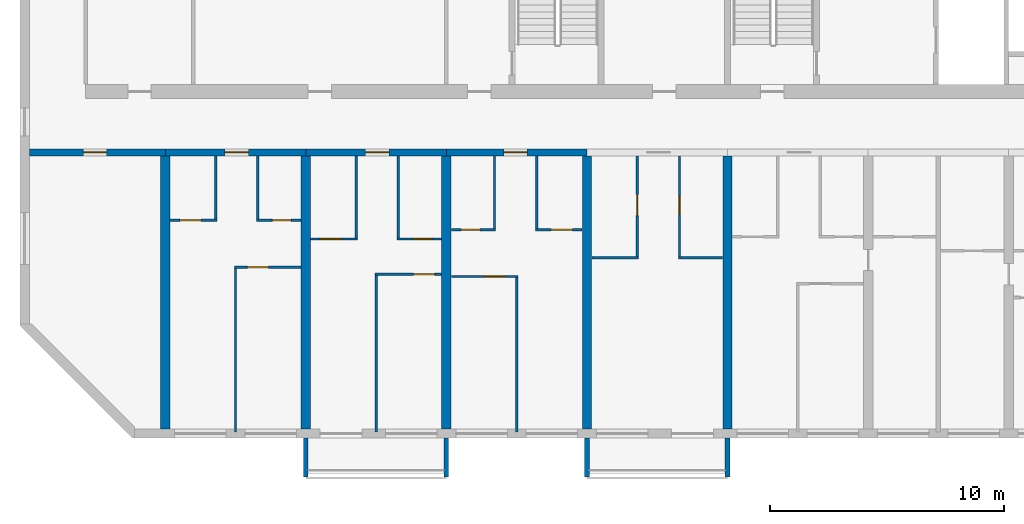
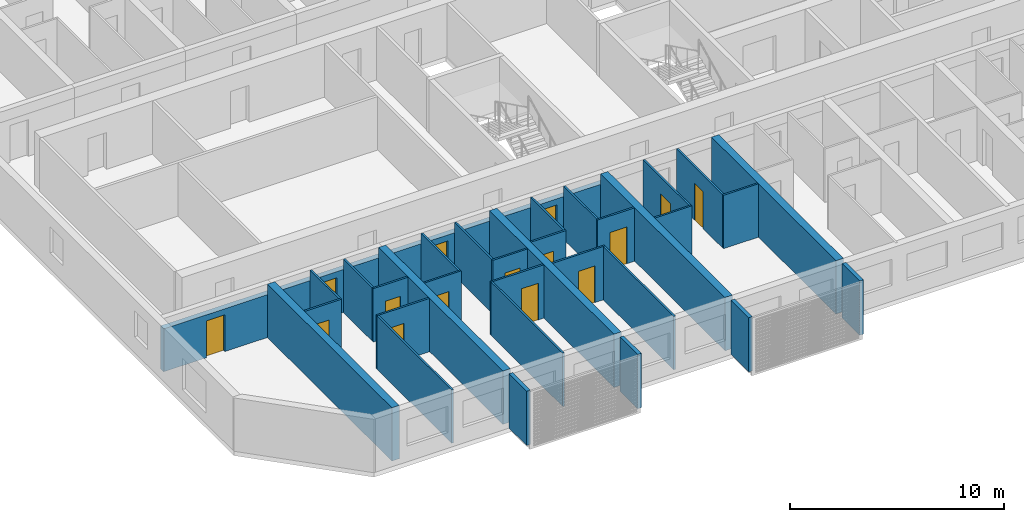
# One storey, part 2 of 40: 35 walls, 15 doors, 15 openings.
"""IFC4 building model written with IfcOpenShell, lengths in metres."""

from ifc_helpers import new_model, si_unit, direction, frame, frame_2d, origin, place, context, subcontext, project, spatial, polyline, rectangle, outline, extrude, source, transform, mapped, material, layer, layer_set, type_object, element, fill, save


model = new_model("IFC4")

# Units and contexts
model_context = context("Model", 3, precision=1e-05, world=origin(), true_north=direction((0.0, 1.0)))
body_context = subcontext(model_context, "Body", "Model", "MODEL_VIEW")
ifc_project = project(units=[si_unit("LENGTHUNIT", "METRE"), si_unit("AREAUNIT", "SQUARE_METRE"), si_unit("VOLUMEUNIT", "CUBIC_METRE"), si_unit("PLANEANGLEUNIT", "RADIAN"), si_unit("MASSUNIT", "GRAM", prefix="KILO")], contexts=[model_context])

# Site, building, storey
site_placement = place(None, origin())
site = spatial("IfcSite", under=ifc_project, at=site_placement, CompositionType="ELEMENT")
building_placement = place(site_placement, origin())
building = spatial("IfcBuilding", under=site, at=building_placement, Name="Poui Terraces", CompositionType="ELEMENT")
storey_placement = place(building_placement, frame((0.0, 0.0, 33.300048828125)))
storey = spatial("IfcBuildingStorey", under=building, at=storey_placement, Name="L08", CompositionType="ELEMENT", Elevation=33.300048828125)

# Wall, opening, door
ifc_material_1 = material(Name="Concrete 80 MPa", Category="concrete")
ifc_layer_1 = layer(ifc_material_1, 0.300048828125)
ifc_layer_set_1 = layer_set([ifc_layer_1], Name="Concrete 80 MPa")
wall_type_1 = type_object("IfcWallType", Name="CORRIDOR WALL 300 80MPa", PredefinedType="SHEAR", material=ifc_layer_set_1)
wall_1_placement = place(storey_placement, frame((0.199951171875, 12.0, 0.0), z_axis=(0.0, 0.0, 1.0), x_axis=(1.0, 0.0, 0.0)))
wall_1 = element("IfcWall", 1, at=wall_1_placement, inside=storey, type_object=wall_type_1, Name="CORRIDOR WALL LINE B BAY 1", PredefinedType="SHEAR", context=body_context, shape_type="SweptSolid", body=[
    extrude(rectangle(XDim=5.800048828125, YDim=0.300048828125, at=frame_2d((2.89990234375, 0.0))), origin(), (0.0, 0.0, 1.0), 2.449951171875),
])
opening_1_placement = place(wall_1_placement, frame((2.300048828125, 0.0, 0.0)))
opening_1 = element("IfcOpeningElement", 2, at=opening_1_placement, cuts=wall_1, Name="Opening D100", PredefinedType="OPENING", context=body_context, shape_type="SweptSolid", body=[
    extrude(rectangle(XDim=1.0, YDim=2.10009765625, at=frame_2d((0.5, 1.050048828125))), frame((0.0, 0.16015625, 0.0), z_axis=(0.0, -1.0, 0.0), x_axis=(1.0, 0.0, 0.0)), (0.0, 0.0, 1.0), 0.320068359375),
])
ifc_material_2 = material(Name="Solid core timber door", Category="wood")
door_type_1 = type_object("IfcDoorType", Name="ACCESSIBLE INTERNAL DOOR 1000 X 2100", OperationType="NOTDEFINED", PredefinedType="DOOR", material=ifc_material_2)
door_1_placement = place(opening_1_placement, frame((1.0, 0.0, 0.0), z_axis=(0.0, 0.0, 1.0), x_axis=(-1.0, 0.0, 0.0)))
door_1 = element("IfcDoor", 3, at=door_1_placement, inside=storey, type_object=door_type_1, Name="ACCESSIBLE INTERNAL DOOR 090", OperationType="SINGLE_SWING_RIGHT", OverallHeight=2.10009765625, OverallWidth=1.0, PredefinedType="DOOR", context=body_context, shape_type="SweptSolid", body=[
    extrude(rectangle(XDim=1.0, YDim=2.10009765625, at=frame_2d((0.5, 1.050048828125))), frame((0.0, 0.02490234375, 0.0), z_axis=(0.0, -1.0, 0.0), x_axis=(1.0, 0.0, 0.0)), (0.0, 0.0, 1.0), 0.050048828125),
])
fill(opening_1, door_1)

wall_2_placement = place(storey_placement, frame((6.0, 12.0, 0.0), z_axis=(0.0, 0.0, 1.0), x_axis=(1.0, 0.0, 0.0)))
wall_2 = element("IfcWall", 4, at=wall_2_placement, inside=storey, type_object=wall_type_1, Name="CORRIDOR WALL LINE B BAY 2", PredefinedType="SHEAR", context=body_context, shape_type="SweptSolid", body=[
    extrude(rectangle(XDim=6.0, YDim=0.300048828125, at=frame_2d((3.0, 0.0))), origin(), (0.0, 0.0, 1.0), 2.449951171875),
])
opening_2_placement = place(wall_2_placement, frame((2.550048828125, 0.0, 0.0)))
opening_2 = element("IfcOpeningElement", 5, at=opening_2_placement, cuts=wall_2, Name="Opening FD30S", PredefinedType="OPENING", context=body_context, shape_type="SweptSolid", body=[
    extrude(rectangle(XDim=1.0, YDim=2.10009765625, at=frame_2d((0.5, 1.050048828125))), frame((0.0, 0.16015625, 0.0), z_axis=(0.0, -1.0, 0.0), x_axis=(1.0, 0.0, 0.0)), (0.0, 0.0, 1.0), 0.320068359375),
])
ifc_material_3 = material(Name="Steel fire door", Category="steel")
door_type_2 = type_object("IfcDoorType", Name="FLAT ENTRANCE DOOR 1000 X 2100", OperationType="NOTDEFINED", PredefinedType="DOOR", material=ifc_material_3)
door_2_placement = place(opening_2_placement, frame((1.0, 0.0, 0.0), z_axis=(0.0, 0.0, 1.0), x_axis=(-1.0, 0.0, 0.0)))
door_2 = element("IfcDoor", 6, at=door_2_placement, inside=storey, type_object=door_type_2, Name="FLAT ENTRANCE DOOR 092", OperationType="SINGLE_SWING_LEFT", OverallHeight=2.10009765625, OverallWidth=1.0, PredefinedType="DOOR", context=body_context, shape_type="SweptSolid", body=[
    extrude(rectangle(XDim=1.0, YDim=2.10009765625, at=frame_2d((0.5, 1.050048828125))), frame((0.0, 0.02490234375, 0.0), z_axis=(0.0, -1.0, 0.0), x_axis=(1.0, 0.0, 0.0)), (0.0, 0.0, 1.0), 0.050048828125),
])
fill(opening_2, door_2)

wall_3_placement = place(storey_placement, frame((12.0, 12.0, 0.0), z_axis=(0.0, 0.0, 1.0), x_axis=(1.0, 0.0, 0.0)))
wall_3 = element("IfcWall", 7, at=wall_3_placement, inside=storey, type_object=wall_type_1, Name="CORRIDOR WALL LINE B BAY 3", PredefinedType="SHEAR", context=body_context, shape_type="SweptSolid", body=[
    extrude(rectangle(XDim=6.0, YDim=0.300048828125, at=frame_2d((3.0, 0.0))), origin(), (0.0, 0.0, 1.0), 2.449951171875),
])
opening_3_placement = place(wall_3_placement, frame((2.550048828125, 0.0, 0.0)))
opening_3 = element("IfcOpeningElement", 8, at=opening_3_placement, cuts=wall_3, Name="Opening FD30S", PredefinedType="OPENING", context=body_context, shape_type="SweptSolid", body=[
    extrude(rectangle(XDim=1.0, YDim=2.10009765625, at=frame_2d((0.5, 1.050048828125))), frame((0.0, 0.16015625, 0.0), z_axis=(0.0, -1.0, 0.0), x_axis=(1.0, 0.0, 0.0)), (0.0, 0.0, 1.0), 0.320068359375),
])
door_3_placement = place(opening_3_placement, frame((1.0, 0.0, 0.0), z_axis=(0.0, 0.0, 1.0), x_axis=(-1.0, 0.0, 0.0)))
door_3 = element("IfcDoor", 9, at=door_3_placement, inside=storey, type_object=door_type_2, Name="FLAT ENTRANCE DOOR 096", OperationType="SINGLE_SWING_LEFT", OverallHeight=2.10009765625, OverallWidth=1.0, PredefinedType="DOOR", context=body_context, shape_type="SweptSolid", body=[
    extrude(rectangle(XDim=1.0, YDim=2.10009765625, at=frame_2d((0.5, 1.050048828125))), frame((0.0, 0.02490234375, 0.0), z_axis=(0.0, -1.0, 0.0), x_axis=(1.0, 0.0, 0.0)), (0.0, 0.0, 1.0), 0.050048828125),
])
fill(opening_3, door_3)

wall_4_placement = place(storey_placement, frame((18.0, 12.0, 0.0), z_axis=(0.0, 0.0, 1.0), x_axis=(1.0, 0.0, 0.0)))
wall_4 = element("IfcWall", 10, at=wall_4_placement, inside=storey, type_object=wall_type_1, Name="CORRIDOR WALL LINE B BAY 4", PredefinedType="SHEAR", context=body_context, shape_type="SweptSolid", body=[
    extrude(rectangle(XDim=6.0, YDim=0.300048828125, at=frame_2d((3.0, 0.0))), origin(), (0.0, 0.0, 1.0), 2.449951171875),
])
opening_4_placement = place(wall_4_placement, frame((2.449951171875, 0.0, 0.0)))
opening_4 = element("IfcOpeningElement", 11, at=opening_4_placement, cuts=wall_4, Name="Opening FD30S", PredefinedType="OPENING", context=body_context, shape_type="SweptSolid", body=[
    extrude(rectangle(XDim=1.0, YDim=2.10009765625, at=frame_2d((0.5, 1.050048828125))), frame((0.0, 0.16015625, 0.0), z_axis=(0.0, -1.0, 0.0), x_axis=(1.0, 0.0, 0.0)), (0.0, 0.0, 1.0), 0.320068359375),
])
door_4_placement = place(opening_4_placement, frame((1.0, 0.0, 0.0), z_axis=(0.0, 0.0, 1.0), x_axis=(-1.0, 0.0, 0.0)))
door_4 = element("IfcDoor", 12, at=door_4_placement, inside=storey, type_object=door_type_2, Name="FLAT ENTRANCE DOOR 101", OperationType="SINGLE_SWING_RIGHT", OverallHeight=2.10009765625, OverallWidth=1.0, PredefinedType="DOOR", context=body_context, shape_type="SweptSolid", body=[
    extrude(rectangle(XDim=1.0, YDim=2.10009765625, at=frame_2d((0.5, 1.050048828125))), frame((0.0, 0.02490234375, 0.0), z_axis=(0.0, -1.0, 0.0), x_axis=(1.0, 0.0, 0.0)), (0.0, 0.0, 1.0), 0.050048828125),
])
fill(opening_4, door_4)

# Walls
ifc_layer_2 = layer(ifc_material_1, 0.39990234375)
ifc_layer_set_2 = layer_set([ifc_layer_2], Name="Concrete 80 MPa")
wall_type_2 = type_object("IfcWallType", Name="CROSS WALL 400 80MPa", PredefinedType="SHEAR", material=ifc_layer_set_2)
for number, where, z_axis, x_axis, name in (
    (13, (6.0, 0.199951171875, 0.0), (0.0, 0.0, 1.0), (0.0, 1.0, 0.0), "CROSS WALL LINE 2 SOUTH"),
    (14, (12.0, 0.199951171875, 0.0), (0.0, 0.0, 1.0), (0.0, 1.0, 0.0), "CROSS WALL LINE 3 SOUTH"),
    (15, (18.0, 0.199951171875, 0.0), (0.0, 0.0, 1.0), (0.0, 1.0, 0.0), "CROSS WALL LINE 4 SOUTH"),
    (16, (24.0, 0.199951171875, 0.0), (0.0, 0.0, 1.0), (0.0, 1.0, 0.0), "CROSS WALL LINE 5 SOUTH"),
    (17, (30.0, 0.199951171875, 0.0), (0.0, 0.0, 1.0), (0.0, 1.0, 0.0), "CROSS WALL LINE 6 SOUTH"),
):
    element("IfcWall", number, at=place(storey_placement, frame(where, z_axis=z_axis, x_axis=x_axis)), inside=storey, type_object=wall_type_2, Name=name, PredefinedType="SHEAR", context=body_context, shape_type="SweptSolid", body=[
        extrude(rectangle(XDim=11.650146484375, YDim=0.39990234375, at=frame_2d((5.8251953125, 0.0))), origin(), (0.0, 0.0, 1.0), 3.050048828125),
    ])

# Wall, opening, door
ifc_material_4 = material(Name="Plasterboard partition")
ifc_layer_3 = layer(ifc_material_4, 0.10009765625)
ifc_layer_set_3 = layer_set([ifc_layer_3], Name="Plasterboard partition")
wall_type_3 = type_object("IfcWallType", Name="FLAT PARTITION 100", PredefinedType="PARTITIONING", material=ifc_layer_set_3)
wall_5_placement = place(storey_placement, frame((18.2099609375, 6.699951171875, 0.0), z_axis=(0.0, 0.0, 1.0), x_axis=(1.0, 0.0, 0.0)))
wall_5 = element("IfcWall", 18, at=wall_5_placement, inside=storey, type_object=wall_type_3, Name="FLAT PARTITION 100", PredefinedType="PARTITIONING", context=body_context, shape_type="SweptSolid", body=[
    extrude(rectangle(XDim=2.840087890625, YDim=0.10009765625, at=frame_2d((1.419921875, 0.0))), origin(), (0.0, 0.0, 1.0), 3.050048828125),
])
opening_5_placement = place(wall_5_placement, frame((1.389892578125, 0.0, 0.0)))
opening_5 = element("IfcOpeningElement", 19, at=opening_5_placement, cuts=wall_5, Name="Opening D90", PredefinedType="OPENING", context=body_context, shape_type="SweptSolid", body=[
    extrude(rectangle(XDim=0.89990234375, YDim=2.10009765625, at=frame_2d((0.449951171875, 1.050048828125))), frame((0.0, 0.06005859375, 0.0), z_axis=(0.0, -1.0, 0.0), x_axis=(1.0, 0.0, 0.0)), (0.0, 0.0, 1.0), 0.1201171875),
])
door_type_3 = type_object("IfcDoorType", Name="INTERNAL DOOR 900 X 2100", OperationType="NOTDEFINED", PredefinedType="DOOR", material=ifc_material_2)
door_5_placement = place(opening_5_placement, origin())
door_5 = element("IfcDoor", 20, at=door_5_placement, inside=storey, type_object=door_type_3, Name="INTERNAL DOOR 100", OperationType="SINGLE_SWING_LEFT", OverallHeight=2.10009765625, OverallWidth=0.89990234375, PredefinedType="DOOR", context=body_context, shape_type="SweptSolid", body=[
    extrude(rectangle(XDim=0.89990234375, YDim=2.10009765625, at=frame_2d((0.449951171875, 1.050048828125))), frame((0.0, 0.02490234375, 0.0), z_axis=(0.0, -1.0, 0.0), x_axis=(1.0, 0.0, 0.0)), (0.0, 0.0, 1.0), 0.050048828125),
])
fill(opening_5, door_5)

wall_6_placement = place(storey_placement, frame((14.949951171875, 6.800048828125, 0.0), z_axis=(0.0, 0.0, 1.0), x_axis=(1.0, 0.0, 0.0)))
wall_6 = element("IfcWall", 21, at=wall_6_placement, inside=storey, type_object=wall_type_3, Name="FLAT PARTITION 100", PredefinedType="PARTITIONING", context=body_context, shape_type="SweptSolid", body=[
    extrude(rectangle(XDim=2.840087890625, YDim=0.10009765625, at=frame_2d((1.419921875, 0.0))), origin(), (0.0, 0.0, 1.0), 3.050048828125),
])
opening_6_placement = place(wall_6_placement, frame((1.64990234375, 0.0, 0.0)))
opening_6 = element("IfcOpeningElement", 22, at=opening_6_placement, cuts=wall_6, Name="Opening D90", PredefinedType="OPENING", context=body_context, shape_type="SweptSolid", body=[
    extrude(rectangle(XDim=0.89990234375, YDim=2.10009765625, at=frame_2d((0.449951171875, 1.050048828125))), frame((0.0, 0.06005859375, 0.0), z_axis=(0.0, -1.0, 0.0), x_axis=(1.0, 0.0, 0.0)), (0.0, 0.0, 1.0), 0.1201171875),
])
door_6_placement = place(opening_6_placement, origin())
door_6 = element("IfcDoor", 23, at=door_6_placement, inside=storey, type_object=door_type_3, Name="INTERNAL DOOR 098", OperationType="SINGLE_SWING_LEFT", OverallHeight=2.10009765625, OverallWidth=0.89990234375, PredefinedType="DOOR", context=body_context, shape_type="SweptSolid", body=[
    extrude(rectangle(XDim=0.89990234375, YDim=2.10009765625, at=frame_2d((0.449951171875, 1.050048828125))), frame((0.0, 0.02490234375, 0.0), z_axis=(0.0, -1.0, 0.0), x_axis=(1.0, 0.0, 0.0)), (0.0, 0.0, 1.0), 0.050048828125),
])
fill(opening_6, door_6)

wall_7_placement = place(storey_placement, frame((8.949951171875, 7.10009765625, 0.0), z_axis=(0.0, 0.0, 1.0), x_axis=(1.0, 0.0, 0.0)))
wall_7 = element("IfcWall", 24, at=wall_7_placement, inside=storey, type_object=wall_type_3, Name="FLAT PARTITION 100", PredefinedType="PARTITIONING", context=body_context, shape_type="SweptSolid", body=[
    extrude(rectangle(XDim=2.840087890625, YDim=0.10009765625, at=frame_2d((1.419921875, 0.0))), origin(), (0.0, 0.0, 1.0), 3.050048828125),
])
opening_7_placement = place(wall_7_placement, frame((0.550048828125, 0.0, 0.0)))
opening_7 = element("IfcOpeningElement", 25, at=opening_7_placement, cuts=wall_7, Name="Opening D90", PredefinedType="OPENING", context=body_context, shape_type="SweptSolid", body=[
    extrude(rectangle(XDim=0.89990234375, YDim=2.10009765625, at=frame_2d((0.449951171875, 1.050048828125))), frame((0.0, 0.06005859375, 0.0), z_axis=(0.0, -1.0, 0.0), x_axis=(1.0, 0.0, 0.0)), (0.0, 0.0, 1.0), 0.1201171875),
])
door_7_placement = place(opening_7_placement, origin())
door_7 = element("IfcDoor", 26, at=door_7_placement, inside=storey, type_object=door_type_3, Name="INTERNAL DOOR 093", OperationType="SINGLE_SWING_RIGHT", OverallHeight=2.10009765625, OverallWidth=0.89990234375, PredefinedType="DOOR", context=body_context, shape_type="SweptSolid", body=[
    extrude(rectangle(XDim=0.89990234375, YDim=2.10009765625, at=frame_2d((0.449951171875, 1.050048828125))), frame((0.0, 0.02490234375, 0.0), z_axis=(0.0, -1.0, 0.0), x_axis=(1.0, 0.0, 0.0)), (0.0, 0.0, 1.0), 0.050048828125),
])
fill(opening_7, door_7)

# Walls
wall_8_placement = place(storey_placement, frame((24.2099609375, 7.5, 0.0), z_axis=(0.0, 0.0, 1.0), x_axis=(1.0, 0.0, 0.0)))
element("IfcWall", 27, at=wall_8_placement, inside=storey, type_object=wall_type_3, Name="FLAT PARTITION 100", PredefinedType="PARTITIONING", context=body_context, shape_type="SweptSolid", body=[
    extrude(rectangle(XDim=1.989990234375, YDim=0.10009765625, at=frame_2d((0.9951171875, 0.0))), origin(), (0.0, 0.0, 1.0), 3.050048828125),
])
wall_9_placement = place(storey_placement, frame((27.89990234375, 7.5, 0.0), z_axis=(0.0, 0.0, 1.0), x_axis=(1.0, 0.0, 0.0)))
element("IfcWall", 28, at=wall_9_placement, inside=storey, type_object=wall_type_3, Name="FLAT PARTITION 100", PredefinedType="PARTITIONING", context=body_context, shape_type="SweptSolid", body=[
    extrude(rectangle(XDim=1.89013671875, YDim=0.10009765625, at=frame_2d((0.945068359375, 0.0))), origin(), (0.0, 0.0, 1.0), 3.050048828125),
])

# Wall, opening, door
wall_10_placement = place(storey_placement, frame((12.2099609375, 8.300048828125, 0.0), z_axis=(0.0, 0.0, 1.0), x_axis=(1.0, 0.0, 0.0)))
wall_10 = element("IfcWall", 29, at=wall_10_placement, inside=storey, type_object=wall_type_3, Name="FLAT PARTITION 100", PredefinedType="PARTITIONING", context=body_context, shape_type="SweptSolid", body=[
    extrude(rectangle(XDim=1.989990234375, YDim=0.10009765625, at=frame_2d((0.9951171875, 0.0))), origin(), (0.0, 0.0, 1.0), 3.050048828125),
])
opening_8_placement = place(wall_10_placement, frame((0.4150390625, 0.0, 0.0)))
opening_8 = element("IfcOpeningElement", 30, at=opening_8_placement, cuts=wall_10, Name="Opening D90", PredefinedType="OPENING", context=body_context, shape_type="SweptSolid", body=[
    extrude(rectangle(XDim=0.89990234375, YDim=2.10009765625, at=frame_2d((0.449951171875, 1.050048828125))), frame((0.0, 0.06005859375, 0.0), z_axis=(0.0, -1.0, 0.0), x_axis=(1.0, 0.0, 0.0)), (0.0, 0.0, 1.0), 0.1201171875),
])
door_8_placement = place(opening_8_placement, origin())
door_8 = element("IfcDoor", 31, at=door_8_placement, inside=storey, type_object=door_type_3, Name="INTERNAL DOOR 095", OperationType="SINGLE_SWING_LEFT", OverallHeight=2.10009765625, OverallWidth=0.89990234375, PredefinedType="DOOR", context=body_context, shape_type="SweptSolid", body=[
    extrude(rectangle(XDim=0.89990234375, YDim=2.10009765625, at=frame_2d((0.449951171875, 1.050048828125))), frame((0.0, 0.02490234375, 0.0), z_axis=(0.0, -1.0, 0.0), x_axis=(1.0, 0.0, 0.0)), (0.0, 0.0, 1.0), 0.050048828125),
])
fill(opening_8, door_8)

wall_11_placement = place(storey_placement, frame((15.89990234375, 8.300048828125, 0.0), z_axis=(0.0, 0.0, 1.0), x_axis=(1.0, 0.0, 0.0)))
wall_11 = element("IfcWall", 32, at=wall_11_placement, inside=storey, type_object=wall_type_3, Name="FLAT PARTITION 100", PredefinedType="PARTITIONING", context=body_context, shape_type="SweptSolid", body=[
    extrude(rectangle(XDim=1.89013671875, YDim=0.10009765625, at=frame_2d((0.945068359375, 0.0))), origin(), (0.0, 0.0, 1.0), 3.050048828125),
])
opening_9_placement = place(wall_11_placement, frame((0.675048828125, 0.0, 0.0)))
opening_9 = element("IfcOpeningElement", 33, at=opening_9_placement, cuts=wall_11, Name="Opening D80", PredefinedType="OPENING", context=body_context, shape_type="SweptSolid", body=[
    extrude(rectangle(XDim=0.800048828125, YDim=2.10009765625, at=frame_2d((0.39990234375, 1.050048828125))), frame((0.0, 0.06005859375, 0.0), z_axis=(0.0, -1.0, 0.0), x_axis=(1.0, 0.0, 0.0)), (0.0, 0.0, 1.0), 0.1201171875),
])
door_type_4 = type_object("IfcDoorType", Name="BATHROOM, LAUNDRY AND STORE DOOR 800 X 2100", OperationType="NOTDEFINED", PredefinedType="DOOR", material=ifc_material_2)
door_9_placement = place(opening_9_placement, origin())
door_9 = element("IfcDoor", 34, at=door_9_placement, inside=storey, type_object=door_type_4, Name="BATHROOM, LAUNDRY AND STORE DOOR 097", OperationType="SINGLE_SWING_RIGHT", OverallHeight=2.10009765625, OverallWidth=0.800048828125, PredefinedType="DOOR", context=body_context, shape_type="SweptSolid", body=[
    extrude(rectangle(XDim=0.800048828125, YDim=2.10009765625, at=frame_2d((0.39990234375, 1.050048828125))), frame((0.0, 0.02490234375, 0.0), z_axis=(0.0, -1.0, 0.0), x_axis=(1.0, 0.0, 0.0)), (0.0, 0.0, 1.0), 0.050048828125),
])
fill(opening_9, door_9)

wall_12_placement = place(storey_placement, frame((18.2099609375, 8.699951171875, 0.0), z_axis=(0.0, 0.0, 1.0), x_axis=(1.0, 0.0, 0.0)))
wall_12 = element("IfcWall", 35, at=wall_12_placement, inside=storey, type_object=wall_type_3, Name="FLAT PARTITION 100", PredefinedType="PARTITIONING", context=body_context, shape_type="SweptSolid", body=[
    extrude(rectangle(XDim=1.89013671875, YDim=0.10009765625, at=frame_2d((0.945068359375, 0.0))), origin(), (0.0, 0.0, 1.0), 3.050048828125),
])
opening_10_placement = place(wall_12_placement, frame((0.4150390625, 0.0, 0.0)))
opening_10 = element("IfcOpeningElement", 36, at=opening_10_placement, cuts=wall_12, Name="Opening D80", PredefinedType="OPENING", context=body_context, shape_type="SweptSolid", body=[
    extrude(rectangle(XDim=0.800048828125, YDim=2.10009765625, at=frame_2d((0.39990234375, 1.050048828125))), frame((0.0, 0.06005859375, 0.0), z_axis=(0.0, -1.0, 0.0), x_axis=(1.0, 0.0, 0.0)), (0.0, 0.0, 1.0), 0.1201171875),
])
door_10_placement = place(opening_10_placement, origin())
door_10 = element("IfcDoor", 37, at=door_10_placement, inside=storey, type_object=door_type_4, Name="BATHROOM, LAUNDRY AND STORE DOOR 099", OperationType="SINGLE_SWING_RIGHT", OverallHeight=2.10009765625, OverallWidth=0.800048828125, PredefinedType="DOOR", context=body_context, shape_type="SweptSolid", body=[
    extrude(rectangle(XDim=0.800048828125, YDim=2.10009765625, at=frame_2d((0.39990234375, 1.050048828125))), frame((0.0, 0.02490234375, 0.0), z_axis=(0.0, -1.0, 0.0), x_axis=(1.0, 0.0, 0.0)), (0.0, 0.0, 1.0), 0.050048828125),
])
fill(opening_10, door_10)

wall_13_placement = place(storey_placement, frame((21.800048828125, 8.699951171875, 0.0), z_axis=(0.0, 0.0, 1.0), x_axis=(1.0, 0.0, 0.0)))
wall_13 = element("IfcWall", 38, at=wall_13_placement, inside=storey, type_object=wall_type_3, Name="FLAT PARTITION 100", PredefinedType="PARTITIONING", context=body_context, shape_type="SweptSolid", body=[
    extrude(rectangle(XDim=1.989990234375, YDim=0.10009765625, at=frame_2d((0.9951171875, 0.0))), origin(), (0.0, 0.0, 1.0), 3.050048828125),
])
opening_11_placement = place(wall_13_placement, frame((0.675048828125, 0.0, 0.0)))
opening_11 = element("IfcOpeningElement", 39, at=opening_11_placement, cuts=wall_13, Name="Opening D90", PredefinedType="OPENING", context=body_context, shape_type="SweptSolid", body=[
    extrude(rectangle(XDim=0.89990234375, YDim=2.10009765625, at=frame_2d((0.449951171875, 1.050048828125))), frame((0.0, 0.06005859375, 0.0), z_axis=(0.0, -1.0, 0.0), x_axis=(1.0, 0.0, 0.0)), (0.0, 0.0, 1.0), 0.1201171875),
])
door_11_placement = place(opening_11_placement, origin())
door_11 = element("IfcDoor", 40, at=door_11_placement, inside=storey, type_object=door_type_3, Name="INTERNAL DOOR 102", OperationType="SINGLE_SWING_LEFT", OverallHeight=2.10009765625, OverallWidth=0.89990234375, PredefinedType="DOOR", context=body_context, shape_type="SweptSolid", body=[
    extrude(rectangle(XDim=0.89990234375, YDim=2.10009765625, at=frame_2d((0.449951171875, 1.050048828125))), frame((0.0, 0.02490234375, 0.0), z_axis=(0.0, -1.0, 0.0), x_axis=(1.0, 0.0, 0.0)), (0.0, 0.0, 1.0), 0.050048828125),
])
fill(opening_11, door_11)

wall_14_placement = place(storey_placement, frame((6.2099609375, 9.10009765625, 0.0), z_axis=(0.0, 0.0, 1.0), x_axis=(1.0, 0.0, 0.0)))
wall_14 = element("IfcWall", 41, at=wall_14_placement, inside=storey, type_object=wall_type_3, Name="FLAT PARTITION 100", PredefinedType="PARTITIONING", context=body_context, shape_type="SweptSolid", body=[
    extrude(rectangle(XDim=1.989990234375, YDim=0.10009765625, at=frame_2d((0.9951171875, 0.0))), origin(), (0.0, 0.0, 1.0), 3.050048828125),
])
opening_12_placement = place(wall_14_placement, frame((0.4150390625, 0.0, 0.0)))
opening_12 = element("IfcOpeningElement", 42, at=opening_12_placement, cuts=wall_14, Name="Opening D90", PredefinedType="OPENING", context=body_context, shape_type="SweptSolid", body=[
    extrude(rectangle(XDim=0.89990234375, YDim=2.10009765625, at=frame_2d((0.449951171875, 1.050048828125))), frame((0.0, 0.06005859375, 0.0), z_axis=(0.0, -1.0, 0.0), x_axis=(1.0, 0.0, 0.0)), (0.0, 0.0, 1.0), 0.1201171875),
])
door_12_placement = place(opening_12_placement, origin())
door_12 = element("IfcDoor", 43, at=door_12_placement, inside=storey, type_object=door_type_3, Name="INTERNAL DOOR 091", OperationType="SINGLE_SWING_RIGHT", OverallHeight=2.10009765625, OverallWidth=0.89990234375, PredefinedType="DOOR", context=body_context, shape_type="SweptSolid", body=[
    extrude(rectangle(XDim=0.89990234375, YDim=2.10009765625, at=frame_2d((0.449951171875, 1.050048828125))), frame((0.0, 0.02490234375, 0.0), z_axis=(0.0, -1.0, 0.0), x_axis=(1.0, 0.0, 0.0)), (0.0, 0.0, 1.0), 0.050048828125),
])
fill(opening_12, door_12)

wall_15_placement = place(storey_placement, frame((9.89990234375, 9.10009765625, 0.0), z_axis=(0.0, 0.0, 1.0), x_axis=(1.0, 0.0, 0.0)))
wall_15 = element("IfcWall", 44, at=wall_15_placement, inside=storey, type_object=wall_type_3, Name="FLAT PARTITION 100", PredefinedType="PARTITIONING", context=body_context, shape_type="SweptSolid", body=[
    extrude(rectangle(XDim=1.89013671875, YDim=0.10009765625, at=frame_2d((0.945068359375, 0.0))), origin(), (0.0, 0.0, 1.0), 3.050048828125),
])
opening_13_placement = place(wall_15_placement, frame((0.675048828125, 0.0, 0.0)))
opening_13 = element("IfcOpeningElement", 45, at=opening_13_placement, cuts=wall_15, Name="Opening D80", PredefinedType="OPENING", context=body_context, shape_type="SweptSolid", body=[
    extrude(rectangle(XDim=0.800048828125, YDim=2.10009765625, at=frame_2d((0.39990234375, 1.050048828125))), frame((0.0, 0.06005859375, 0.0), z_axis=(0.0, -1.0, 0.0), x_axis=(1.0, 0.0, 0.0)), (0.0, 0.0, 1.0), 0.1201171875),
])
door_13_placement = place(opening_13_placement, origin())
door_13 = element("IfcDoor", 46, at=door_13_placement, inside=storey, type_object=door_type_4, Name="BATHROOM, LAUNDRY AND STORE DOOR 094", OperationType="SINGLE_SWING_LEFT", OverallHeight=2.10009765625, OverallWidth=0.800048828125, PredefinedType="DOOR", context=body_context, shape_type="SweptSolid", body=[
    extrude(rectangle(XDim=0.800048828125, YDim=2.10009765625, at=frame_2d((0.39990234375, 1.050048828125))), frame((0.0, 0.02490234375, 0.0), z_axis=(0.0, -1.0, 0.0), x_axis=(1.0, 0.0, 0.0)), (0.0, 0.0, 1.0), 0.050048828125),
])
fill(opening_13, door_13)

# Walls
wall_16_placement = place(storey_placement, frame((8.14990234375, 9.14990234375, 0.0), z_axis=(0.0, 0.0, 1.0), x_axis=(0.0, 1.0, 0.0)))
element("IfcWall", 47, at=wall_16_placement, inside=storey, type_object=wall_type_3, Name="FLAT PARTITION 100", PredefinedType="PARTITIONING", context=body_context, shape_type="SweptSolid", body=[
    extrude(rectangle(XDim=2.690185546875, YDim=0.10009765625, at=frame_2d((1.34521484375, 0.0))), origin(), (0.0, 0.0, 1.0), 3.050048828125),
])
wall_17_placement = place(storey_placement, frame((9.0, 0.06005859375, 0.0), z_axis=(0.0, 0.0, 1.0), x_axis=(0.0, 1.0, 0.0)))
element("IfcWall", 48, at=wall_17_placement, inside=storey, type_object=wall_type_3, Name="FLAT PARTITION 100", PredefinedType="PARTITIONING", context=body_context, shape_type="SweptSolid", body=[
    extrude(rectangle(XDim=6.989990234375, YDim=0.10009765625, at=frame_2d((3.4951171875, 0.0))), origin(), (0.0, 0.0, 1.0), 3.050048828125),
])
wall_18_placement = place(storey_placement, frame((9.949951171875, 9.14990234375, 0.0), z_axis=(0.0, 0.0, 1.0), x_axis=(0.0, 1.0, 0.0)))
element("IfcWall", 49, at=wall_18_placement, inside=storey, type_object=wall_type_3, Name="FLAT PARTITION 100", PredefinedType="PARTITIONING", context=body_context, shape_type="SweptSolid", body=[
    extrude(rectangle(XDim=2.690185546875, YDim=0.10009765625, at=frame_2d((1.34521484375, 0.0))), origin(), (0.0, 0.0, 1.0), 3.050048828125),
])
wall_19_placement = place(storey_placement, frame((14.14990234375, 8.35009765625, 0.0), z_axis=(0.0, 0.0, 1.0), x_axis=(0.0, 1.0, 0.0)))
element("IfcWall", 50, at=wall_19_placement, inside=storey, type_object=wall_type_3, Name="FLAT PARTITION 100", PredefinedType="PARTITIONING", context=body_context, shape_type="SweptSolid", body=[
    extrude(rectangle(XDim=3.489990234375, YDim=0.10009765625, at=frame_2d((1.7451171875, 0.0))), origin(), (0.0, 0.0, 1.0), 3.050048828125),
])
wall_20_placement = place(storey_placement, frame((15.0, 0.06005859375, 0.0), z_axis=(0.0, 0.0, 1.0), x_axis=(0.0, 1.0, 0.0)))
element("IfcWall", 51, at=wall_20_placement, inside=storey, type_object=wall_type_3, Name="FLAT PARTITION 100", PredefinedType="PARTITIONING", context=body_context, shape_type="SweptSolid", body=[
    extrude(rectangle(XDim=6.68994140625, YDim=0.10009765625, at=frame_2d((3.344970703125, 0.0))), origin(), (0.0, 0.0, 1.0), 3.050048828125),
])
wall_21_placement = place(storey_placement, frame((15.949951171875, 8.35009765625, 0.0), z_axis=(0.0, 0.0, 1.0), x_axis=(0.0, 1.0, 0.0)))
element("IfcWall", 52, at=wall_21_placement, inside=storey, type_object=wall_type_3, Name="FLAT PARTITION 100", PredefinedType="PARTITIONING", context=body_context, shape_type="SweptSolid", body=[
    extrude(rectangle(XDim=3.489990234375, YDim=0.10009765625, at=frame_2d((1.7451171875, 0.0))), origin(), (0.0, 0.0, 1.0), 3.050048828125),
])
wall_22_placement = place(storey_placement, frame((20.050048828125, 8.75, 0.0), z_axis=(0.0, 0.0, 1.0), x_axis=(0.0, 1.0, 0.0)))
element("IfcWall", 53, at=wall_22_placement, inside=storey, type_object=wall_type_3, Name="FLAT PARTITION 100", PredefinedType="PARTITIONING", context=body_context, shape_type="SweptSolid", body=[
    extrude(rectangle(XDim=3.090087890625, YDim=0.10009765625, at=frame_2d((1.544921875, 0.0))), origin(), (0.0, 0.0, 1.0), 3.050048828125),
])
wall_23_placement = place(storey_placement, frame((21.0, 0.06005859375, 0.0), z_axis=(0.0, 0.0, 1.0), x_axis=(0.0, 1.0, 0.0)))
element("IfcWall", 54, at=wall_23_placement, inside=storey, type_object=wall_type_3, Name="FLAT PARTITION 100", PredefinedType="PARTITIONING", context=body_context, shape_type="SweptSolid", body=[
    extrude(rectangle(XDim=6.58984375, YDim=0.10009765625, at=frame_2d((3.294921875, 0.0))), origin(), (0.0, 0.0, 1.0), 3.050048828125),
])
wall_24_placement = place(storey_placement, frame((21.85009765625, 8.75, 0.0), z_axis=(0.0, 0.0, 1.0), x_axis=(0.0, 1.0, 0.0)))
element("IfcWall", 55, at=wall_24_placement, inside=storey, type_object=wall_type_3, Name="FLAT PARTITION 100", PredefinedType="PARTITIONING", context=body_context, shape_type="SweptSolid", body=[
    extrude(rectangle(XDim=3.090087890625, YDim=0.10009765625, at=frame_2d((1.544921875, 0.0))), origin(), (0.0, 0.0, 1.0), 3.050048828125),
])

# Wall, opening, door
wall_25_placement = place(storey_placement, frame((26.14990234375, 7.550048828125, 0.0), z_axis=(0.0, 0.0, 1.0), x_axis=(0.0, 1.0, 0.0)))
wall_25 = element("IfcWall", 56, at=wall_25_placement, inside=storey, type_object=wall_type_3, Name="FLAT PARTITION 100", PredefinedType="PARTITIONING", context=body_context, shape_type="SweptSolid", body=[
    extrude(rectangle(XDim=4.2900390625, YDim=0.10009765625, at=frame_2d((2.14501953125, 0.0))), origin(), (0.0, 0.0, 1.0), 3.050048828125),
])
opening_14_placement = place(wall_25_placement, frame((1.75, 0.0, 0.0)))
opening_14 = element("IfcOpeningElement", 57, at=opening_14_placement, cuts=wall_25, Name="Opening D90", PredefinedType="OPENING", context=body_context, shape_type="SweptSolid", body=[
    extrude(rectangle(XDim=0.89990234375, YDim=2.10009765625, at=frame_2d((0.449951171875, 1.050048828125))), frame((0.0, 0.06005859375, 0.0), z_axis=(0.0, -1.0, 0.0), x_axis=(1.0, 0.0, 0.0)), (0.0, 0.0, 1.0), 0.1201171875),
])
door_14_placement = place(opening_14_placement, origin())
door_14 = element("IfcDoor", 58, at=door_14_placement, inside=storey, type_object=door_type_3, Name="INTERNAL DOOR 103", OperationType="SINGLE_SWING_RIGHT", OverallHeight=2.10009765625, OverallWidth=0.89990234375, PredefinedType="DOOR", context=body_context, shape_type="SweptSolid", body=[
    extrude(rectangle(XDim=0.89990234375, YDim=2.10009765625, at=frame_2d((0.449951171875, 1.050048828125))), frame((0.0, 0.02490234375, 0.0), z_axis=(0.0, -1.0, 0.0), x_axis=(1.0, 0.0, 0.0)), (0.0, 0.0, 1.0), 0.050048828125),
])
fill(opening_14, door_14)

wall_26_placement = place(storey_placement, frame((27.949951171875, 7.550048828125, 0.0), z_axis=(0.0, 0.0, 1.0), x_axis=(0.0, 1.0, 0.0)))
wall_26 = element("IfcWall", 59, at=wall_26_placement, inside=storey, type_object=wall_type_3, Name="FLAT PARTITION 100", PredefinedType="PARTITIONING", context=body_context, shape_type="SweptSolid", body=[
    extrude(rectangle(XDim=4.2900390625, YDim=0.10009765625, at=frame_2d((2.14501953125, 0.0))), origin(), (0.0, 0.0, 1.0), 3.050048828125),
])
opening_15_placement = place(wall_26_placement, frame((1.800048828125, 0.0, 0.0)))
opening_15 = element("IfcOpeningElement", 60, at=opening_15_placement, cuts=wall_26, Name="Opening D80", PredefinedType="OPENING", context=body_context, shape_type="SweptSolid", body=[
    extrude(rectangle(XDim=0.800048828125, YDim=2.10009765625, at=frame_2d((0.39990234375, 1.050048828125))), frame((0.0, 0.06005859375, 0.0), z_axis=(0.0, -1.0, 0.0), x_axis=(1.0, 0.0, 0.0)), (0.0, 0.0, 1.0), 0.1201171875),
])
door_15_placement = place(opening_15_placement, frame((0.800048828125, 0.0, 0.0), z_axis=(0.0, 0.0, 1.0), x_axis=(-1.0, 0.0, 0.0)))
door_15 = element("IfcDoor", 61, at=door_15_placement, inside=storey, type_object=door_type_4, Name="BATHROOM, LAUNDRY AND STORE DOOR 105", OperationType="SINGLE_SWING_RIGHT", OverallHeight=2.10009765625, OverallWidth=0.800048828125, PredefinedType="DOOR", context=body_context, shape_type="SweptSolid", body=[
    extrude(rectangle(XDim=0.800048828125, YDim=2.10009765625, at=frame_2d((0.39990234375, 1.050048828125))), frame((0.0, 0.02490234375, 0.0), z_axis=(0.0, -1.0, 0.0), x_axis=(1.0, 0.0, 0.0)), (0.0, 0.0, 1.0), 0.050048828125),
])
fill(opening_15, door_15)

# Walls
ifc_material_5 = material(Name="Precast concrete 40 MPa", Category="concrete")
ifc_layer_4 = layer(ifc_material_5, 0.199951171875)
ifc_layer_set_4 = layer_set([ifc_layer_4], Name="Precast concrete 40 MPa")
wall_type_4 = type_object("IfcWallType", Name="REAR FIN 200", PredefinedType="STANDARD", material=ifc_layer_set_4)
shared_shape = source(origin(), body_context, "Body", "SweptSolid", [
    extrude(outline(polyline([(0.0, 0.0), (0.2001953125, 0.0), (0.2001953125, 1.650146484375), (0.0, 1.650146484375), (0.0, 0.0)])), origin(), (0.0, 0.0, 1.0), 3.099853515625),
])
for number, where, name in (
    (62, (11.89990234375, -1.85009765625, 0.0), "REAR FIN"),
    (63, (17.89990234375, -1.85009765625, 0.0), "REAR FIN"),
    (64, (23.89990234375, -1.85009765625, 0.0), "REAR FIN"),
    (65, (29.89990234375, -1.85009765625, 0.0), "REAR FIN"),
):
    element("IfcWall", number, at=place(storey_placement, frame(where)), inside=storey, type_object=wall_type_4, Name=name, PredefinedType="STANDARD", context=body_context, shape_type="MappedRepresentation", body=[
        mapped(shared_shape, transform((0.0, 0.0, 0.0))),
    ])

save(model, "model.ifc")
